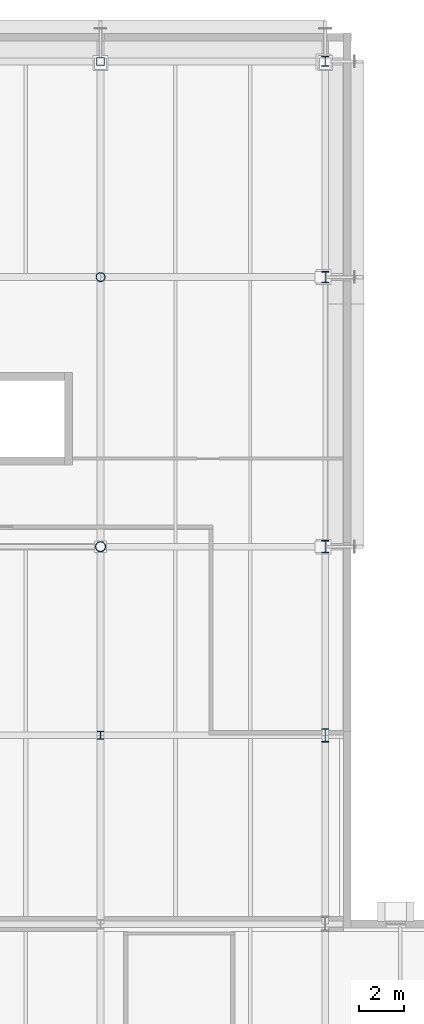
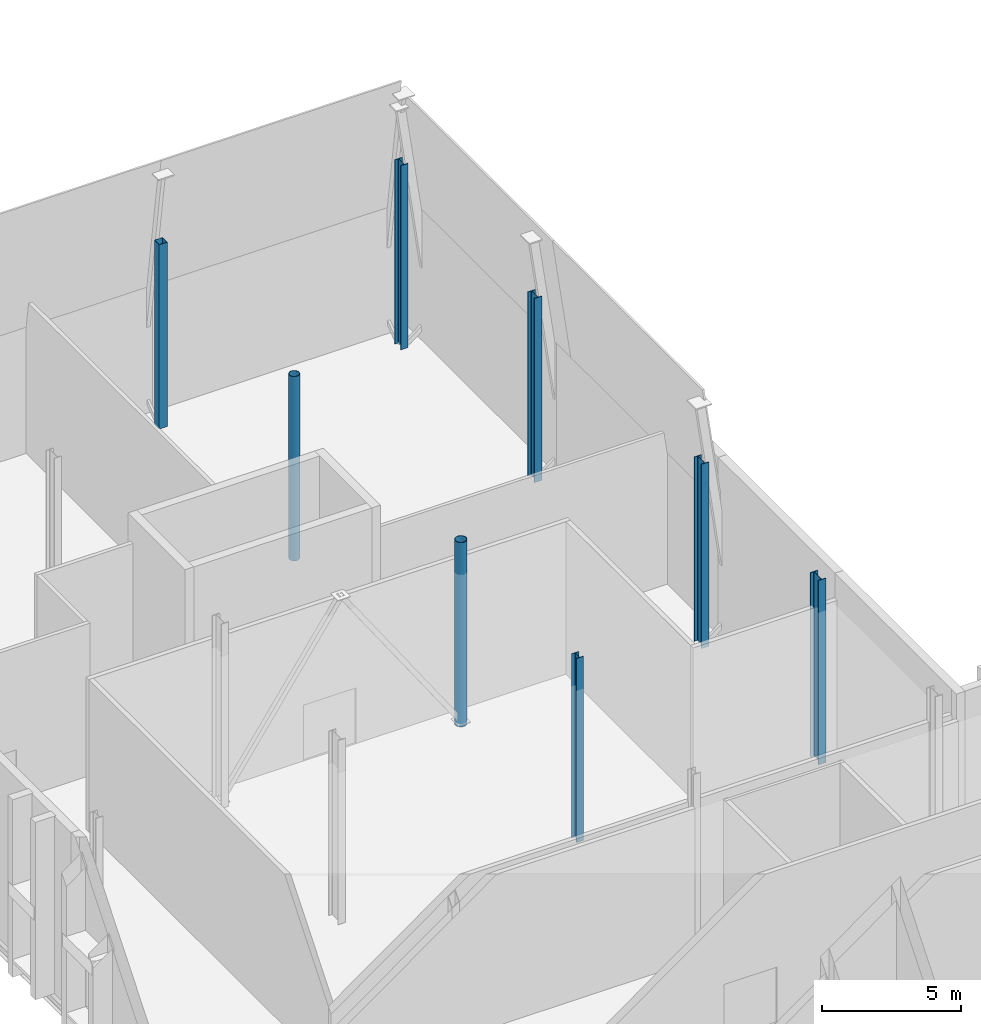
# One storey, part 14 of 79: 8 columns.
"""IFC4 building model written with IfcOpenShell, lengths in metres."""

from ifc_helpers import new_model, si_unit, direction, frame, origin, origin_2d, place, context, subcontext, project, spatial, hollow_rectangle, hollow_circle, i_section, extrude, material, material_profile, profile_set, type_object, element, save


model = new_model("IFC4")

# Units and contexts
model_context = context("Model", 3, precision=1e-05, world=origin(), true_north=direction((0.0, 1.0)))
body_context = subcontext(model_context, "Body", "Model", "MODEL_VIEW")
ifc_project = project(units=[si_unit("LENGTHUNIT", "METRE"), si_unit("AREAUNIT", "SQUARE_METRE"), si_unit("VOLUMEUNIT", "CUBIC_METRE"), si_unit("PLANEANGLEUNIT", "RADIAN"), si_unit("MASSUNIT", "GRAM", prefix="KILO")], contexts=[model_context])

# Site, building, storey
site_placement = place(None, origin())
site = spatial("IfcSite", under=ifc_project, at=site_placement, CompositionType="ELEMENT")
building_placement = place(site_placement, origin())
building = spatial("IfcBuilding", under=site, at=building_placement, Name="Zereglee Splitstone Museum", CompositionType="ELEMENT")
storey_placement = place(building_placement, frame((0.0, 0.0, 9.0)))
storey = spatial("IfcBuildingStorey", under=building, at=storey_placement, Name="L02", CompositionType="ELEMENT", Elevation=9.0)

# Columns
ifc_material_1 = material(Name="Steel S355J2H", Category="steel")
ifc_material_profile_1 = material_profile(ifc_material_1, hollow_circle(Radius=0.203125, WallThickness=0.02001953125, at=origin_2d()), Name="CHS 406.4x20")
ifc_profile_set_1 = profile_set([ifc_material_profile_1], Name="Steel S355J2H")
column_type_1 = type_object("IfcColumnType", Name="C-18", PredefinedType="COLUMN", material=ifc_profile_set_1)
column_1_placement = place(storey_placement, frame((195.199951171875, 50.39990234375, 0.0), z_axis=(0.0, 0.0, 1.0), x_axis=(1.0, 0.0, 0.0)))
element("IfcColumn", 1, at=column_1_placement, inside=storey, type_object=column_type_1, Name="Column 22/F L02", PredefinedType="COLUMN", context=body_context, shape_type="SweptSolid", body=[
    extrude(hollow_circle(Radius=0.203125, WallThickness=0.02001953125, at=origin_2d()), origin(), (0.0, 0.0, 1.0), 8.10009765625),
])
ifc_material_profile_2 = material_profile(ifc_material_1, hollow_circle(Radius=0.228515625, WallThickness=0.02001953125, at=origin_2d()), Name="CHS 457.0x20")
ifc_profile_set_2 = profile_set([ifc_material_profile_2], Name="Steel S355J2H")
column_type_2 = type_object("IfcColumnType", Name="C-17", PredefinedType="COLUMN", material=ifc_profile_set_2)
column_2_placement = place(storey_placement, frame((195.199951171875, 38.39990234375, 0.0), z_axis=(0.0, 0.0, 1.0), x_axis=(1.0, 0.0, 0.0)))
element("IfcColumn", 2, at=column_2_placement, inside=storey, type_object=column_type_2, Name="Column 22/E L02", PredefinedType="COLUMN", context=body_context, shape_type="SweptSolid", body=[
    extrude(hollow_circle(Radius=0.228515625, WallThickness=0.02001953125, at=origin_2d()), origin(), (0.0, 0.0, 1.0), 8.10009765625),
])
ifc_material_2 = material(Name="Steel S355J2", Category="steel")
ifc_material_profile_3 = material_profile(ifc_material_2, i_section(OverallWidth=0.300048828125, OverallDepth=0.360107421875, WebThickness=0.012451171875, FlangeThickness=0.0224609375, FilletRadius=0.027099609375, at=origin_2d()), Name="HE 360 B")
ifc_profile_set_3 = profile_set([ifc_material_profile_3], Name="Steel S355J2")
column_type_3 = type_object("IfcColumnType", Name="C-16", PredefinedType="COLUMN", material=ifc_profile_set_3)
column_3_placement = place(storey_placement, frame((195.199951171875, 30.0, 0.0), z_axis=(0.0, 0.0, 1.0), x_axis=(1.0, 0.0, 0.0)))
element("IfcColumn", 3, at=column_3_placement, inside=storey, type_object=column_type_3, Name="Column 22/D L02", PredefinedType="COLUMN", context=body_context, shape_type="SweptSolid", body=[
    extrude(i_section(OverallWidth=0.300048828125, OverallDepth=0.360107421875, WebThickness=0.012451171875, FlangeThickness=0.0224609375, FilletRadius=0.027099609375, at=origin_2d()), origin(), (0.0, 0.0, 1.0), 8.10009765625),
])
ifc_material_profile_4 = material_profile(ifc_material_2, i_section(OverallWidth=0.300048828125, OverallDepth=0.449951171875, WebThickness=0.013916015625, FlangeThickness=0.02587890625, FilletRadius=0.027099609375, at=origin_2d()), Name="HE 450 B")
ifc_profile_set_4 = profile_set([ifc_material_profile_4], Name="Steel S355J2")
column_type_4 = type_object("IfcColumnType", Name="C-14", PredefinedType="COLUMN", material=ifc_profile_set_4)
column_4_placement = place(storey_placement, frame((205.199951171875, 60.0, 0.0), z_axis=(0.0, 0.0, 1.0), x_axis=(1.0, 0.0, 0.0)))
element("IfcColumn", 4, at=column_4_placement, inside=storey, type_object=column_type_4, Name="Column 23/G L02", PredefinedType="COLUMN", context=body_context, shape_type="SweptSolid", body=[
    extrude(i_section(OverallWidth=0.300048828125, OverallDepth=0.449951171875, WebThickness=0.013916015625, FlangeThickness=0.02587890625, FilletRadius=0.027099609375, at=origin_2d()), origin(), (0.0, 0.0, 1.0), 8.10009765625),
])
ifc_material_profile_5 = material_profile(ifc_material_2, i_section(OverallWidth=0.300048828125, OverallDepth=0.5, WebThickness=0.014404296875, FlangeThickness=0.028076171875, FilletRadius=0.027099609375, at=origin_2d()), Name="HE 500 B")
ifc_profile_set_5 = profile_set([ifc_material_profile_5], Name="Steel S355J2")
column_type_5 = type_object("IfcColumnType", Name="C-13", PredefinedType="COLUMN", material=ifc_profile_set_5)
column_5_placement = place(storey_placement, frame((205.199951171875, 50.39990234375, 0.0), z_axis=(0.0, 0.0, 1.0), x_axis=(1.0, 0.0, 0.0)))
element("IfcColumn", 5, at=column_5_placement, inside=storey, type_object=column_type_5, Name="Column 23/F L02", PredefinedType="COLUMN", context=body_context, shape_type="SweptSolid", body=[
    extrude(i_section(OverallWidth=0.300048828125, OverallDepth=0.5, WebThickness=0.014404296875, FlangeThickness=0.028076171875, FilletRadius=0.027099609375, at=origin_2d()), origin(), (0.0, 0.0, 1.0), 8.10009765625),
])
ifc_material_profile_6 = material_profile(ifc_material_2, i_section(OverallWidth=0.300048828125, OverallDepth=0.550048828125, WebThickness=0.014892578125, FlangeThickness=0.029052734375, FilletRadius=0.027099609375, at=origin_2d()), Name="HE 550 B")
ifc_profile_set_6 = profile_set([ifc_material_profile_6], Name="Steel S355J2")
column_type_6 = type_object("IfcColumnType", Name="C-12", PredefinedType="COLUMN", material=ifc_profile_set_6)
column_6_placement = place(storey_placement, frame((205.199951171875, 38.39990234375, 0.0), z_axis=(0.0, 0.0, 1.0), x_axis=(1.0, 0.0, 0.0)))
element("IfcColumn", 6, at=column_6_placement, inside=storey, type_object=column_type_6, Name="Column 23/E L02", PredefinedType="COLUMN", context=body_context, shape_type="SweptSolid", body=[
    extrude(i_section(OverallWidth=0.300048828125, OverallDepth=0.550048828125, WebThickness=0.014892578125, FlangeThickness=0.029052734375, FilletRadius=0.027099609375, at=origin_2d()), origin(), (0.0, 0.0, 1.0), 8.10009765625),
])
ifc_material_profile_7 = material_profile(ifc_material_2, i_section(OverallWidth=0.300048828125, OverallDepth=0.60009765625, WebThickness=0.015380859375, FlangeThickness=0.030029296875, FilletRadius=0.027099609375, at=origin_2d()), Name="HE 600 B")
ifc_profile_set_7 = profile_set([ifc_material_profile_7], Name="Steel S355J2")
column_type_7 = type_object("IfcColumnType", Name="C-11", PredefinedType="COLUMN", material=ifc_profile_set_7)
column_7_placement = place(storey_placement, frame((205.199951171875, 30.0, 0.0), z_axis=(0.0, 0.0, 1.0), x_axis=(1.0, 0.0, 0.0)))
element("IfcColumn", 7, at=column_7_placement, inside=storey, type_object=column_type_7, Name="Column 23/D L02", PredefinedType="COLUMN", context=body_context, shape_type="SweptSolid", body=[
    extrude(i_section(OverallWidth=0.300048828125, OverallDepth=0.60009765625, WebThickness=0.015380859375, FlangeThickness=0.030029296875, FilletRadius=0.027099609375, at=origin_2d()), origin(), (0.0, 0.0, 1.0), 8.10009765625),
])
ifc_material_profile_8 = material_profile(ifc_material_1, hollow_rectangle(XDim=0.35009765625, YDim=0.35009765625, WallThickness=0.01611328125, at=origin_2d()), Name="SHS 350x350x16")
ifc_profile_set_8 = profile_set([ifc_material_profile_8], Name="Steel S355J2H")
column_type_8 = type_object("IfcColumnType", Name="C-19", PredefinedType="COLUMN", material=ifc_profile_set_8)
column_8_placement = place(storey_placement, frame((195.199951171875, 60.0, 0.0), z_axis=(0.0, 0.0, 1.0), x_axis=(1.0, 0.0, 0.0)))
element("IfcColumn", 8, at=column_8_placement, inside=storey, type_object=column_type_8, Name="Column 22/G L02", PredefinedType="COLUMN", context=body_context, shape_type="SweptSolid", body=[
    extrude(hollow_rectangle(XDim=0.35009765625, YDim=0.35009765625, WallThickness=0.01611328125, at=origin_2d()), origin(), (0.0, 0.0, 1.0), 8.10009765625),
])

save(model, "model.ifc")
